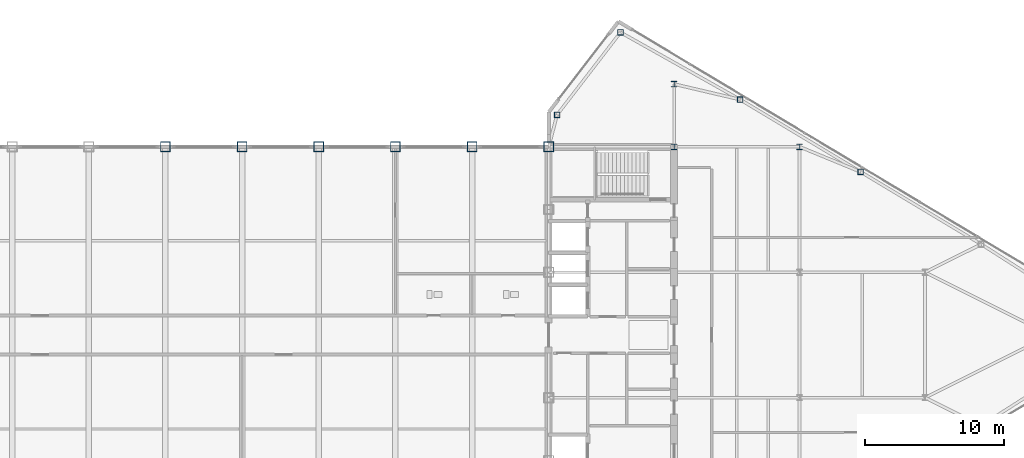
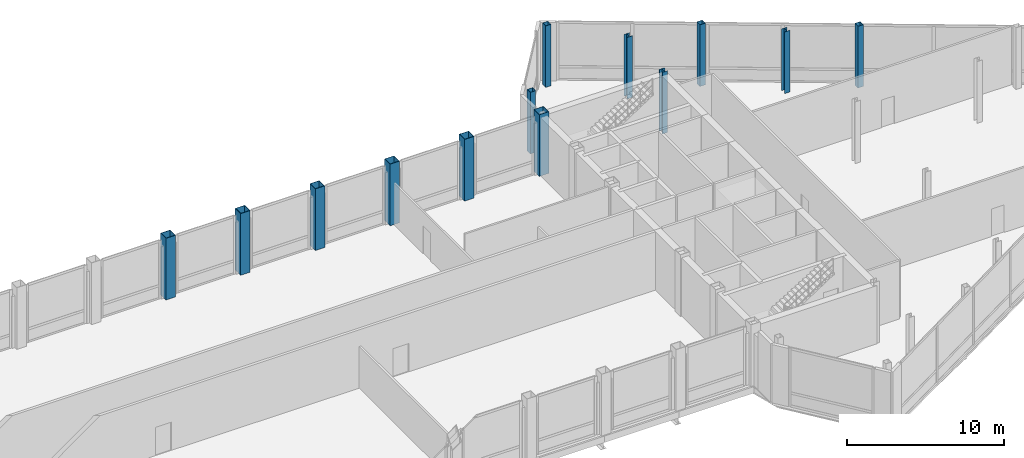
# One storey, part 6 of 29: 13 columns.
"""IFC4 building model written with IfcOpenShell, lengths in metres."""

from ifc_helpers import new_model, si_unit, direction, frame, origin, origin_2d, place, context, subcontext, project, spatial, hollow_rectangle, i_section, extrude, source, transform, mapped, material, material_profile, profile_set, type_object, type_shapes, element, save


model = new_model("IFC4")

# Units and contexts
model_context = context("Model", 3, precision=1e-05, world=origin(), true_north=direction((0.0, 1.0)))
body_context = subcontext(model_context, "Body", "Model", "MODEL_VIEW")
ifc_project = project(units=[si_unit("LENGTHUNIT", "METRE"), si_unit("AREAUNIT", "SQUARE_METRE"), si_unit("VOLUMEUNIT", "CUBIC_METRE"), si_unit("PLANEANGLEUNIT", "RADIAN"), si_unit("MASSUNIT", "GRAM", prefix="KILO")], contexts=[model_context])

# Site, building, storey
site_placement = place(None, origin())
site = spatial("IfcSite", under=ifc_project, at=site_placement, CompositionType="ELEMENT")
building_placement = place(site_placement, origin())
building = spatial("IfcBuilding", under=site, at=building_placement, Name="Seokmaru Belvedere", CompositionType="ELEMENT")
storey_placement = place(building_placement, frame((0.0, 0.0, 269.39990234375)))
storey = spatial("IfcBuildingStorey", under=building, at=storey_placement, Name="L71", CompositionType="ELEMENT", Elevation=269.39990234375)

# Columns
ifc_material = material(Name="Steel SM355 (355 MPa)", Category="steel")
ifc_material_profile_1 = material_profile(ifc_material, hollow_rectangle(XDim=0.699951171875, YDim=0.699951171875, WallThickness=0.030029296875, at=origin_2d()), Name="BOX-700x700x30")
ifc_profile_set_1 = profile_set([ifc_material_profile_1], Name="Steel SM355 (355 MPa)")
column_type_1 = type_object("IfcColumnType", Name="Upper Spine Column BOX-700", PredefinedType="COLUMN", material=ifc_profile_set_1)
shared_shape_1 = source(origin(), body_context, "Body", "SweptSolid", [
    extrude(hollow_rectangle(XDim=0.699951171875, YDim=0.699951171875, WallThickness=0.030029296875, at=origin_2d()), origin(), (0.0, 0.0, 1.0), 4.800048828125),
])
type_shapes(column_type_1, [shared_shape_1])
for number, where, z_axis, x_axis, name in (
    (1, (27.5, 13.5, 0.0), (0.0, 0.0, 1.0), (1.0, 0.0, 0.0), "L71 Column ES6"),
    (2, (0.0, 13.5, 0.0), (0.0, 0.0, 1.0), (1.0, 0.0, 0.0), "L71 Column BRN_5"),
    (3, (5.5, 13.5, 0.0), (0.0, 0.0, 1.0), (1.0, 0.0, 0.0), "L71 Column BRN_6"),
    (4, (11.0, 13.5, 0.0), (0.0, 0.0, 1.0), (1.0, 0.0, 0.0), "L71 Column BRN_7"),
    (5, (16.5, 13.5, 0.0), (0.0, 0.0, 1.0), (1.0, 0.0, 0.0), "L71 Column BRN_8"),
    (6, (22.0, 13.5, 0.0), (0.0, 0.0, 1.0), (1.0, 0.0, 0.0), "L71 Column BRN_9"),
):
    element("IfcColumn", number, at=place(storey_placement, frame(where, z_axis=z_axis, x_axis=x_axis)), inside=storey, type_object=column_type_1, Name=name, PredefinedType="COLUMN", context=body_context, shape_type="MappedRepresentation", body=[
        mapped(shared_shape_1, transform((0.0, 0.0, 0.0), scale=1.0)),
    ])
ifc_material_profile_2 = material_profile(ifc_material, hollow_rectangle(XDim=0.39990234375, YDim=0.39990234375, WallThickness=0.01611328125, at=origin_2d()), Name="HSS-400x400x16")
ifc_profile_set_2 = profile_set([ifc_material_profile_2], Name="Steel SM355 (355 MPa)")
column_type_2 = type_object("IfcColumnType", Name="Perimeter Facet Column HSS-400", PredefinedType="COLUMN", material=ifc_profile_set_2)
shared_shape_2 = source(origin(), body_context, "Body", "SweptSolid", [
    extrude(hollow_rectangle(XDim=0.39990234375, YDim=0.39990234375, WallThickness=0.01611328125, at=origin_2d()), origin(), (0.0, 0.0, 1.0), 4.800048828125),
])
type_shapes(column_type_2, [shared_shape_2])
for number, where, z_axis, x_axis, name in (
    (7, (32.649658203125, 21.71044921875, 0.0), (0.0, 0.0, 1.0), (1.0, 0.0, 0.0), "L71 Column EF4"),
    (8, (28.10009765625, 15.7958984375, 0.0), (0.0, 0.0, 1.0), (1.0, 0.0, 0.0), "L71 Column EF5"),
    (9, (41.229736328125, 16.888916015625, 0.0), (0.0, 0.0, 1.0), (1.0, 0.0, 0.0), "L71 Column EFLK_N1"),
    (10, (49.8798828125, 11.698974609375, 0.0), (0.0, 0.0, 1.0), (1.0, 0.0, 0.0), "L71 Column EFLK_N2"),
):
    element("IfcColumn", number, at=place(storey_placement, frame(where, z_axis=z_axis, x_axis=x_axis)), inside=storey, type_object=column_type_2, Name=name, PredefinedType="COLUMN", context=body_context, shape_type="MappedRepresentation", body=[
        mapped(shared_shape_2, transform((0.0, 0.0, 0.0), scale=1.0)),
    ])
ifc_material_profile_3 = material_profile(ifc_material, i_section(OverallWidth=0.39990234375, OverallDepth=0.39990234375, WebThickness=0.012939453125, FlangeThickness=0.02099609375, at=origin_2d()), Name="H-400x400x13x21")
ifc_profile_set_3 = profile_set([ifc_material_profile_3], Name="Steel SM355 (355 MPa)")
column_type_3 = type_object("IfcColumnType", Name="Observatory Column H-400", PredefinedType="COLUMN", material=ifc_profile_set_3)
shared_shape_3 = source(origin(), body_context, "Body", "SweptSolid", [
    extrude(i_section(OverallWidth=0.39990234375, OverallDepth=0.39990234375, WebThickness=0.012939453125, FlangeThickness=0.02099609375, at=origin_2d()), origin(), (0.0, 0.0, 1.0), 4.800048828125),
])
type_shapes(column_type_3, [shared_shape_3])
for number, where, z_axis, x_axis, name in (
    (11, (36.5, 13.5, 0.0), (0.0, 0.0, 1.0), (1.0, 0.0, 0.0), "L71 Column EC3"),
    (12, (36.5, 18.0, 0.0), (0.0, 0.0, 1.0), (1.0, 0.0, 0.0), "L71 Column EC4"),
    (13, (45.5, 13.5, 0.0), (0.0, 0.0, 1.0), (1.0, 0.0, 0.0), "L71 Column EG5_4"),
):
    element("IfcColumn", number, at=place(storey_placement, frame(where, z_axis=z_axis, x_axis=x_axis)), inside=storey, type_object=column_type_3, Name=name, PredefinedType="COLUMN", context=body_context, shape_type="MappedRepresentation", body=[
        mapped(shared_shape_3, transform((0.0, 0.0, 0.0), scale=1.0)),
    ])

save(model, "model.ifc")
